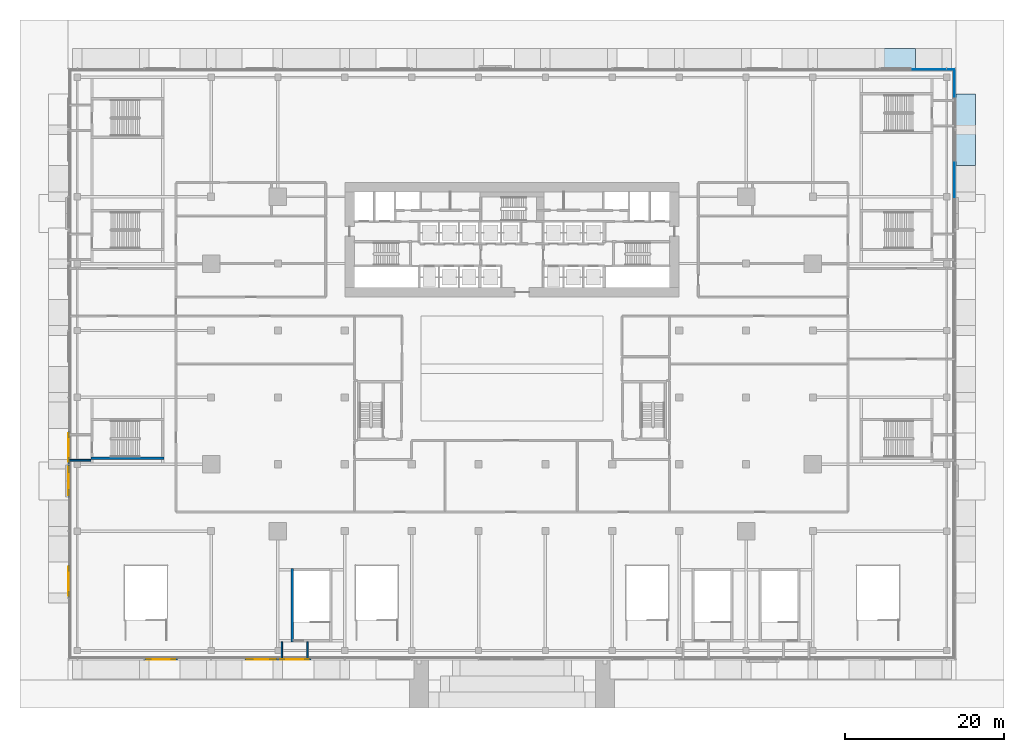
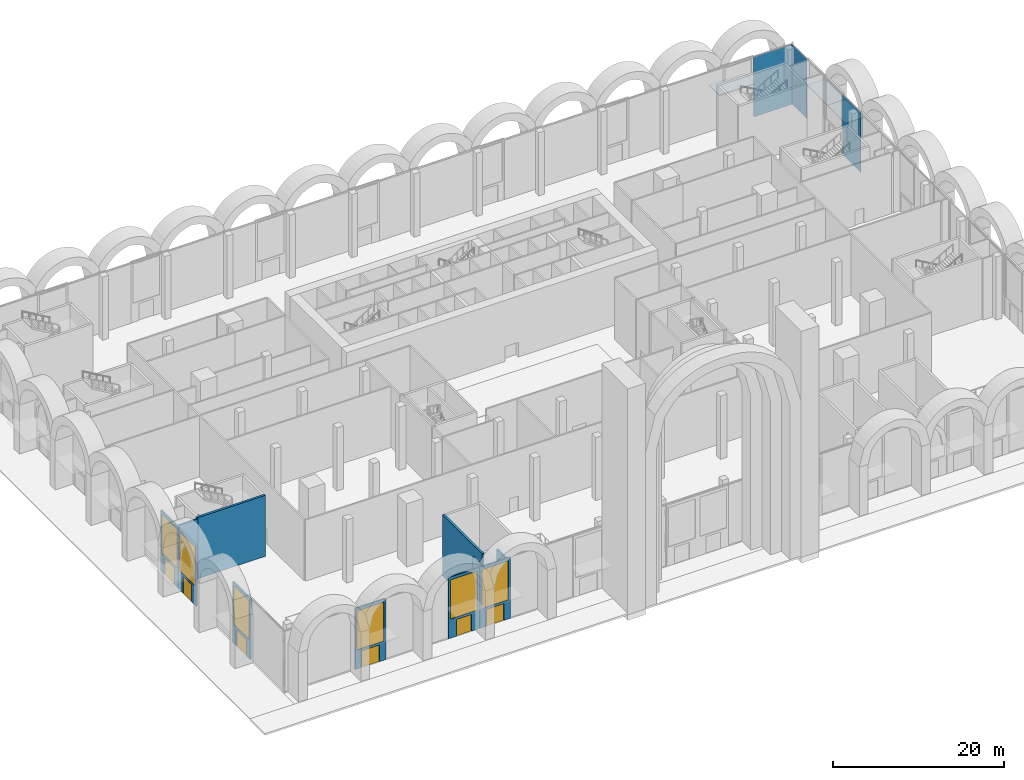
# One storey, part 19 of 43: 11 walls, 6 doors, 6 plates, 6 windows, 12 openings, 2 elements without a shape of their own.
"""IFC4 building model written with IfcOpenShell, lengths in metres."""

from ifc_helpers import new_model, si_unit, direction, frame, frame_2d, origin, place, context, subcontext, project, spatial, polyline, rectangle, outline, extrude, material, layer, layer_set, type_object, element, fill, aggregate, save


model = new_model("IFC4")

# Units and contexts
model_context = context("Model", 3, precision=1e-05, world=origin(), true_north=direction((0.0, 1.0)))
body_context = subcontext(model_context, "Body", "Model", "MODEL_VIEW")
ifc_project = project(units=[si_unit("LENGTHUNIT", "METRE"), si_unit("AREAUNIT", "SQUARE_METRE"), si_unit("VOLUMEUNIT", "CUBIC_METRE"), si_unit("PLANEANGLEUNIT", "RADIAN"), si_unit("MASSUNIT", "GRAM", prefix="KILO")], contexts=[model_context])

# Site, building, storey
site_placement = place(None, origin())
site = spatial("IfcSite", under=ifc_project, at=site_placement, CompositionType="ELEMENT")
building_placement = place(site_placement, origin())
building = spatial("IfcBuilding", under=site, at=building_placement, Name="Saffron Gate Tower", CompositionType="ELEMENT")
storey_placement = place(building_placement, origin())
storey = spatial("IfcBuildingStorey", under=building, at=storey_placement, Name="L00", CompositionType="ELEMENT", Elevation=0.0)

# Plates
ifc_material_1 = material(Name="Aluminium, bronze anodised", Category="aluminium")
ifc_layer_1 = layer(ifc_material_1, 0.14990234375)
ifc_layer_set_1 = layer_set([ifc_layer_1], Name="CAN1 entrance canopy")
plate_type_1 = type_object("IfcPlateType", Name="CAN1 entrance canopy", PredefinedType="SHEET", material=ifc_layer_set_1)
plate_1_placement = place(storey_placement, frame((0.0, 0.0, 4.39990234375)))
element("IfcPlate", 1, at=plate_1_placement, inside=storey, type_object=plate_type_1, Name="EXIT CANOPY", PredefinedType="SHEET", context=body_context, shape_type="SweptSolid", body=[
    extrude(outline(polyline([(138.300048828125, 90.0), (133.5, 90.0), (133.5, 92.39990234375), (138.300048828125, 92.39990234375), (138.300048828125, 90.0)])), origin(), (0.0, 0.0, 1.0), 0.150146484375),
])
plate_2_placement = place(storey_placement, frame((0.0, 0.0, 4.39990234375)))
element("IfcPlate", 2, at=plate_2_placement, inside=storey, type_object=plate_type_1, Name="EXIT CANOPY", PredefinedType="SHEET", context=body_context, shape_type="SweptSolid", body=[
    extrude(outline(polyline([(143.39990234375, 77.699951171875), (143.39990234375, 82.5), (145.800048828125, 82.5), (145.800048828125, 77.699951171875), (143.39990234375, 77.699951171875)])), origin(), (0.0, 0.0, 1.0), 0.150146484375),
])
plate_3_placement = place(storey_placement, frame((0.0, 0.0, 4.39990234375)))
element("IfcPlate", 3, at=plate_3_placement, inside=storey, type_object=plate_type_1, Name="EXIT CANOPY", PredefinedType="SHEET", context=body_context, shape_type="SweptSolid", body=[
    extrude(outline(polyline([(143.39990234375, 81.89990234375), (143.39990234375, 86.699951171875), (145.800048828125, 86.699951171875), (145.800048828125, 81.89990234375), (143.39990234375, 81.89990234375)])), origin(), (0.0, 0.0, 1.0), 0.150146484375),
])

# Curtain wall, plates
curtain_wall_type = type_object("IfcCurtainWallType", Name="CWS5 curtain wall podium ring base", PredefinedType="NOTDEFINED", material=ifc_material_1)
curtain_wall_1_placement = place(storey_placement, origin())
curtain_wall_1 = element("IfcCurtainWall", 4, at=curtain_wall_1_placement, inside=storey, type_object=curtain_wall_type, Name="CWS5 run 2", PredefinedType="NOTDEFINED")
ifc_material_2 = material(Name="Clear low-iron laminated glass", Category="glass")
ifc_layer_2 = layer(ifc_material_2, 0.028076171875)
ifc_layer_set_2 = layer_set([ifc_layer_2], Name="CWS5 fixed glass")
plate_type_2 = type_object("IfcPlateType", Name="CWS5 fixed glass", PredefinedType="CURTAIN_PANEL", material=ifc_layer_set_2)
plate_4_placement = place(storey_placement, frame((143.18603515625, 73.760009765625, 0.0), z_axis=(0.0, 0.0, 1.0), x_axis=(0.0, 1.0, 0.0)))
plate_4 = element("IfcPlate", 5, at=plate_4_placement, type_object=plate_type_2, Name="CWS5 glass panel", PredefinedType="CURTAIN_PANEL", context=body_context, shape_type="SweptSolid", body=[
    extrude(rectangle(XDim=4.280029296875, YDim=0.028076171875, at=frame_2d((2.14013671875, 0.0))), origin(), (0.0, 0.0, 1.0), 8.580078125),
])
plate_5_placement = place(storey_placement, frame((143.18603515625, 86.360107421875, 0.0), z_axis=(0.0, 0.0, 1.0), x_axis=(0.0, 1.0, 0.0)))
plate_5 = element("IfcPlate", 6, at=plate_5_placement, type_object=plate_type_2, Name="CWS5 glass panel", PredefinedType="CURTAIN_PANEL", context=body_context, shape_type="SweptSolid", body=[
    extrude(rectangle(XDim=3.411865234375, YDim=0.028076171875, at=frame_2d((1.7060546875, 0.0))), origin(), (0.0, 0.0, 1.0), 8.580078125),
])
aggregate(curtain_wall_1, [plate_4, plate_5])

# Curtain wall, plate
curtain_wall_2_placement = place(storey_placement, origin())
curtain_wall_2 = element("IfcCurtainWall", 7, at=curtain_wall_2_placement, inside=storey, type_object=curtain_wall_type, Name="CWS5 run 3", PredefinedType="NOTDEFINED")
plate_6_placement = place(storey_placement, frame((143.172119140625, 89.785888671875, 0.0), z_axis=(0.0, 0.0, 1.0), x_axis=(-1.0, 0.0, 0.0)))
plate_6 = element("IfcPlate", 8, at=plate_6_placement, type_object=plate_type_2, Name="CWS5 glass panel", PredefinedType="CURTAIN_PANEL", context=body_context, shape_type="SweptSolid", body=[
    extrude(rectangle(XDim=5.212158203125, YDim=0.028076171875, at=frame_2d((2.60595703125, 0.0))), origin(), (0.0, 0.0, 1.0), 8.580078125),
])
aggregate(curtain_wall_2, [plate_6])

# Walls
ifc_material_3 = material(Name="Gypsum board partition on steel studs", Category="steel")
ifc_layer_3 = layer(ifc_material_3, 0.199951171875)
ifc_layer_set_3 = layer_set([ifc_layer_3], Name="CW10 Core partition 200")
wall_type_1 = type_object("IfcWallType", Name="CW10 Core partition 200", PredefinedType="PARTITIONING", material=ifc_layer_set_3)
wall_1_placement = place(storey_placement, frame((32.0, 40.699951171875, 0.0), z_axis=(0.0, 0.0, 1.0), x_axis=(1.0, 0.0, 0.0)))
element("IfcWall", 9, at=wall_1_placement, inside=storey, type_object=wall_type_1, Name="Wall CW10-L00-XS-HA", PredefinedType="PARTITIONING", context=body_context, shape_type="SweptSolid", body=[
    extrude(rectangle(XDim=2.699951171875, YDim=0.199951171875, at=frame_2d((1.35009765625, 0.0))), origin(), (0.0, 0.0, 1.0), 8.699951171875),
])
for number, where, z_axis, x_axis, name in (
    (10, (58.699951171875, 15.800048828125, 0.0), (0.0, 0.0, 1.0), (0.0, 1.0, 0.0), "Wall CW10-L00-XS-LA"),
    (11, (61.89990234375, 15.800048828125, 0.0), (0.0, 0.0, 1.0), (0.0, 1.0, 0.0), "Wall CW10-L00-XS-LB"),
):
    element("IfcWall", number, at=place(storey_placement, frame(where, z_axis=z_axis, x_axis=x_axis)), inside=storey, type_object=wall_type_1, Name=name, PredefinedType="PARTITIONING", context=body_context, shape_type="SweptSolid", body=[
        extrude(rectangle(XDim=2.099853515625, YDim=0.199951171875, at=frame_2d((1.0498046875, 0.0))), origin(), (0.0, 0.0, 1.0), 8.699951171875),
    ])
ifc_material_4 = material(Name="Concrete C70", Category="concrete")
ifc_layer_4 = layer(ifc_material_4, 0.300048828125)
ifc_layer_set_4 = layer_set([ifc_layer_4], Name="CW5 RC core wall 300 C70")
wall_type_2 = type_object("IfcWallType", Name="CW5 RC core wall 300 C70", PredefinedType="SOLIDWALL", material=ifc_layer_set_4)
wall_2_placement = place(storey_placement, frame((34.699951171875, 40.97509765625, 0.0), z_axis=(0.0, 0.0, 1.0), x_axis=(1.0, 0.0, 0.0)))
element("IfcWall", 12, at=wall_2_placement, inside=storey, type_object=wall_type_2, Name="Wall CW5-L00-H-1", PredefinedType="SOLIDWALL", context=body_context, shape_type="SweptSolid", body=[
    extrude(rectangle(XDim=9.199951171875, YDim=0.300048828125, at=frame_2d((4.60009765625, 0.0))), origin(), (0.0, 0.0, 1.0), 8.699951171875),
])
wall_3_placement = place(storey_placement, frame((59.97509765625, 17.89990234375, 0.0), z_axis=(0.0, 0.0, 1.0), x_axis=(0.0, 1.0, 0.0)))
element("IfcWall", 13, at=wall_3_placement, inside=storey, type_object=wall_type_2, Name="Wall CW5-L00-L-1", PredefinedType="SOLIDWALL", context=body_context, shape_type="SweptSolid", body=[
    extrude(rectangle(XDim=9.2001953125, YDim=0.300048828125, at=frame_2d((4.60009765625, 0.0))), origin(), (0.0, 0.0, 1.0), 8.699951171875),
])

# Wall, openings, door, window
ifc_material_5 = material(Name="Reinforced concrete C40/50 clad in bronze panels", Category="concrete")
ifc_layer_5 = layer(ifc_material_5, 0.199951171875)
ifc_layer_set_5 = layer_set([ifc_layer_5], Name="WBAY1 entrance bay wall")
wall_type_3 = type_object("IfcWallType", Name="WBAY1 entrance bay wall", PredefinedType="SOLIDWALL", material=ifc_layer_set_5)
wall_4_placement = place(storey_placement, frame((58.159912109375, 15.699951171875, 0.0), z_axis=(0.0, 0.0, 1.0), x_axis=(-1.0, 0.0, 0.0)))
wall_4 = element("IfcWall", 14, at=wall_4_placement, inside=storey, type_object=wall_type_3, Name="ENTRANCE BAY wall", PredefinedType="SOLIDWALL", context=body_context, shape_type="SweptSolid", body=[
    extrude(rectangle(XDim=4.119873046875, YDim=0.199951171875, at=frame_2d((2.06005859375, 0.0))), origin(), (0.0, 0.0, 1.0), 8.699951171875),
])
opening_1_placement = place(wall_4_placement, frame((1.06005859375, 0.0, 0.0)))
opening_1 = element("IfcOpeningElement", 15, at=opening_1_placement, cuts=wall_4, Name="Opening E01", PredefinedType="OPENING", context=body_context, shape_type="SweptSolid", body=[
    extrude(rectangle(XDim=2.0, YDim=2.39990234375, at=frame_2d((1.0, 1.199951171875))), frame((0.0, 0.10986328125, 0.0), z_axis=(0.0, -1.0, 0.0), x_axis=(1.0, 0.0, 0.0)), (0.0, 0.0, 1.0), 0.219970703125),
])
opening_2_placement = place(wall_4_placement, frame((0.260009765625, 0.0, 2.699951171875)))
opening_2 = element("IfcOpeningElement", 16, at=opening_2_placement, cuts=wall_4, Name="Opening W9", PredefinedType="OPENING", context=body_context, shape_type="SweptSolid", body=[
    extrude(rectangle(XDim=3.60009765625, YDim=5.60009765625, at=frame_2d((1.800048828125, 2.800048828125))), frame((0.0, 0.10986328125, 0.0), z_axis=(0.0, -1.0, 0.0), x_axis=(1.0, 0.0, 0.0)), (0.0, 0.0, 1.0), 0.219970703125),
])
ifc_material_6 = material(Name="Bronze-framed toughened glass", Category="glass")
ifc_layer_6 = layer(ifc_material_6, 0.050048828125)
ifc_layer_set_6 = layer_set([ifc_layer_6], Name="D1 external double door 2000x2400")
door_type_1 = type_object("IfcDoorType", Name="D1 external double door 2000x2400", OperationType="DOUBLE_DOOR_SINGLE_SWING", PredefinedType="DOOR", material=ifc_layer_set_6)
door_1_placement = place(opening_1_placement, origin())
door_1 = element("IfcDoor", 17, at=door_1_placement, inside=storey, type_object=door_type_1, Name="DOOR E01", OperationType="DOUBLE_DOOR_SINGLE_SWING", OverallHeight=2.39990234375, OverallWidth=2.0, PredefinedType="DOOR", context=body_context, shape_type="SweptSolid", body=[
    extrude(rectangle(XDim=2.0, YDim=2.39990234375, at=frame_2d((1.0, 1.199951171875))), frame((0.0, 0.02490234375, 0.0), z_axis=(0.0, -1.0, 0.0), x_axis=(1.0, 0.0, 0.0)), (0.0, 0.0, 1.0), 0.050048828125),
])
fill(opening_1, door_1)
ifc_material_7 = material(Name="Clear low-iron laminated glass in bronze frame", Category="glass")
ifc_layer_7 = layer(ifc_material_7, 0.06005859375)
ifc_layer_set_7 = layer_set([ifc_layer_7], Name="W9 entrance light")
window_type = type_object("IfcWindowType", Name="W9 entrance light", PartitioningType="SINGLE_PANEL", PredefinedType="WINDOW", material=ifc_layer_set_7)
window_1_placement = place(opening_2_placement, origin())
window_1 = element("IfcWindow", 18, at=window_1_placement, inside=storey, type_object=window_type, Name="W9 entrance light", OverallHeight=5.60009765625, OverallWidth=3.60009765625, PartitioningType="SINGLE_PANEL", PredefinedType="WINDOW", context=body_context, shape_type="SweptSolid", body=[
    extrude(rectangle(XDim=3.60009765625, YDim=5.60009765625, at=frame_2d((1.800048828125, 2.800048828125))), frame((0.0, 0.030029296875, 0.0), z_axis=(0.0, -1.0, 0.0), x_axis=(1.0, 0.0, 0.0)), (0.0, 0.0, 1.0), 0.06005859375),
])
fill(opening_2, window_1)

# Wall, openings, window, door
wall_5_placement = place(storey_placement, frame((45.56005859375, 15.699951171875, 0.0), z_axis=(0.0, 0.0, 1.0), x_axis=(-1.0, 0.0, 0.0)))
wall_5 = element("IfcWall", 19, at=wall_5_placement, inside=storey, type_object=wall_type_3, Name="ENTRANCE BAY wall", PredefinedType="SOLIDWALL", context=body_context, shape_type="SweptSolid", body=[
    extrude(rectangle(XDim=4.1201171875, YDim=0.199951171875, at=frame_2d((2.06005859375, 0.0))), origin(), (0.0, 0.0, 1.0), 8.699951171875),
])
opening_3_placement = place(wall_5_placement, frame((0.860107421875, 0.0, 0.0)))
opening_3 = element("IfcOpeningElement", 20, at=opening_3_placement, cuts=wall_5, Name="Opening E25", PredefinedType="OPENING", context=body_context, shape_type="SweptSolid", body=[
    extrude(rectangle(XDim=2.39990234375, YDim=2.39990234375, at=frame_2d((1.199951171875, 1.199951171875))), frame((0.0, 0.10986328125, 0.0), z_axis=(0.0, -1.0, 0.0), x_axis=(1.0, 0.0, 0.0)), (0.0, 0.0, 1.0), 0.219970703125),
])
opening_4_placement = place(wall_5_placement, frame((0.260009765625, 0.0, 2.699951171875)))
opening_4 = element("IfcOpeningElement", 21, at=opening_4_placement, cuts=wall_5, Name="Opening W9", PredefinedType="OPENING", context=body_context, shape_type="SweptSolid", body=[
    extrude(rectangle(XDim=3.60009765625, YDim=5.60009765625, at=frame_2d((1.800048828125, 2.800048828125))), frame((0.0, 0.10986328125, 0.0), z_axis=(0.0, -1.0, 0.0), x_axis=(1.0, 0.0, 0.0)), (0.0, 0.0, 1.0), 0.219970703125),
])
window_2_placement = place(opening_4_placement, origin())
window_2 = element("IfcWindow", 22, at=window_2_placement, inside=storey, type_object=window_type, Name="W9 entrance light", OverallHeight=5.60009765625, OverallWidth=3.60009765625, PartitioningType="SINGLE_PANEL", PredefinedType="WINDOW", context=body_context, shape_type="SweptSolid", body=[
    extrude(rectangle(XDim=3.60009765625, YDim=5.60009765625, at=frame_2d((1.800048828125, 2.800048828125))), frame((0.0, 0.030029296875, 0.0), z_axis=(0.0, -1.0, 0.0), x_axis=(1.0, 0.0, 0.0)), (0.0, 0.0, 1.0), 0.06005859375),
])
fill(opening_4, window_2)
ifc_layer_8 = layer(ifc_material_6, 0.050048828125)
ifc_layer_set_8 = layer_set([ifc_layer_8], Name="X1 exit double door 2400x2400")
door_type_2 = type_object("IfcDoorType", Name="X1 exit double door 2400x2400", OperationType="DOUBLE_DOOR_SINGLE_SWING", PredefinedType="DOOR", material=ifc_layer_set_8)
door_2_placement = place(opening_3_placement, origin())
door_2 = element("IfcDoor", 23, at=door_2_placement, inside=storey, type_object=door_type_2, Name="EXIT E25", OperationType="DOUBLE_DOOR_SINGLE_SWING", OverallHeight=2.39990234375, OverallWidth=2.39990234375, PredefinedType="DOOR", context=body_context, shape_type="SweptSolid", body=[
    extrude(rectangle(XDim=2.39990234375, YDim=2.39990234375, at=frame_2d((1.199951171875, 1.199951171875))), frame((0.0, 0.02490234375, 0.0), z_axis=(0.0, -1.0, 0.0), x_axis=(1.0, 0.0, 0.0)), (0.0, 0.0, 1.0), 0.050048828125),
])
fill(opening_3, door_2)

wall_6_placement = place(storey_placement, frame((62.360107421875, 15.699951171875, 0.0), z_axis=(0.0, 0.0, 1.0), x_axis=(-1.0, 0.0, 0.0)))
wall_6 = element("IfcWall", 24, at=wall_6_placement, inside=storey, type_object=wall_type_3, Name="ENTRANCE BAY wall", PredefinedType="SOLIDWALL", context=body_context, shape_type="SweptSolid", body=[
    extrude(rectangle(XDim=4.1201171875, YDim=0.199951171875, at=frame_2d((2.06005859375, 0.0))), origin(), (0.0, 0.0, 1.0), 8.699951171875),
])
opening_5_placement = place(wall_6_placement, frame((0.860107421875, 0.0, 0.0)))
opening_5 = element("IfcOpeningElement", 25, at=opening_5_placement, cuts=wall_6, Name="Opening E35", PredefinedType="OPENING", context=body_context, shape_type="SweptSolid", body=[
    extrude(rectangle(XDim=2.39990234375, YDim=2.39990234375, at=frame_2d((1.199951171875, 1.199951171875))), frame((0.0, 0.10986328125, 0.0), z_axis=(0.0, -1.0, 0.0), x_axis=(1.0, 0.0, 0.0)), (0.0, 0.0, 1.0), 0.219970703125),
])
opening_6_placement = place(wall_6_placement, frame((0.260009765625, 0.0, 2.699951171875)))
opening_6 = element("IfcOpeningElement", 26, at=opening_6_placement, cuts=wall_6, Name="Opening W9", PredefinedType="OPENING", context=body_context, shape_type="SweptSolid", body=[
    extrude(rectangle(XDim=3.60009765625, YDim=5.60009765625, at=frame_2d((1.800048828125, 2.800048828125))), frame((0.0, 0.10986328125, 0.0), z_axis=(0.0, -1.0, 0.0), x_axis=(1.0, 0.0, 0.0)), (0.0, 0.0, 1.0), 0.219970703125),
])
window_3_placement = place(opening_6_placement, origin())
window_3 = element("IfcWindow", 27, at=window_3_placement, inside=storey, type_object=window_type, Name="W9 entrance light", OverallHeight=5.60009765625, OverallWidth=3.60009765625, PartitioningType="SINGLE_PANEL", PredefinedType="WINDOW", context=body_context, shape_type="SweptSolid", body=[
    extrude(rectangle(XDim=3.60009765625, YDim=5.60009765625, at=frame_2d((1.800048828125, 2.800048828125))), frame((0.0, 0.030029296875, 0.0), z_axis=(0.0, -1.0, 0.0), x_axis=(1.0, 0.0, 0.0)), (0.0, 0.0, 1.0), 0.06005859375),
])
fill(opening_6, window_3)
door_3_placement = place(opening_5_placement, origin())
door_3 = element("IfcDoor", 28, at=door_3_placement, inside=storey, type_object=door_type_2, Name="EXIT E35", OperationType="DOUBLE_DOOR_SINGLE_SWING", OverallHeight=2.39990234375, OverallWidth=2.39990234375, PredefinedType="DOOR", context=body_context, shape_type="SweptSolid", body=[
    extrude(rectangle(XDim=2.39990234375, YDim=2.39990234375, at=frame_2d((1.199951171875, 1.199951171875))), frame((0.0, 0.02490234375, 0.0), z_axis=(0.0, -1.0, 0.0), x_axis=(1.0, 0.0, 0.0)), (0.0, 0.0, 1.0), 0.050048828125),
])
fill(opening_5, door_3)

# Wall, openings, door, window
wall_7_placement = place(storey_placement, frame((31.89990234375, 36.0400390625, 0.0), z_axis=(0.0, 0.0, 1.0), x_axis=(0.0, 1.0, 0.0)))
wall_7 = element("IfcWall", 29, at=wall_7_placement, inside=storey, type_object=wall_type_3, Name="ENTRANCE BAY wall", PredefinedType="SOLIDWALL", context=body_context, shape_type="SweptSolid", body=[
    extrude(rectangle(XDim=4.119873046875, YDim=0.199951171875, at=frame_2d((2.06005859375, 0.0))), origin(), (0.0, 0.0, 1.0), 8.699951171875),
])
opening_7_placement = place(wall_7_placement, frame((1.06005859375, 0.0, 0.0)))
opening_7 = element("IfcOpeningElement", 30, at=opening_7_placement, cuts=wall_7, Name="Opening E08", PredefinedType="OPENING", context=body_context, shape_type="SweptSolid", body=[
    extrude(rectangle(XDim=2.0, YDim=2.39990234375, at=frame_2d((1.0, 1.199951171875))), frame((0.0, 0.10986328125, 0.0), z_axis=(0.0, -1.0, 0.0), x_axis=(1.0, 0.0, 0.0)), (0.0, 0.0, 1.0), 0.219970703125),
])
opening_8_placement = place(wall_7_placement, frame((0.260009765625, 0.0, 2.699951171875)))
opening_8 = element("IfcOpeningElement", 31, at=opening_8_placement, cuts=wall_7, Name="Opening W9", PredefinedType="OPENING", context=body_context, shape_type="SweptSolid", body=[
    extrude(rectangle(XDim=3.60009765625, YDim=5.60009765625, at=frame_2d((1.800048828125, 2.800048828125))), frame((0.0, 0.10986328125, 0.0), z_axis=(0.0, -1.0, 0.0), x_axis=(1.0, 0.0, 0.0)), (0.0, 0.0, 1.0), 0.219970703125),
])
ifc_material_8 = material(Name="Bronze lattice gate, anodised aluminium", Category="aluminium")
ifc_layer_9 = layer(ifc_material_8, 0.050048828125)
ifc_layer_set_9 = layer_set([ifc_layer_9], Name="G1 entrance gate 2000x2400")
door_type_3 = type_object("IfcDoorType", Name="G1 entrance gate 2000x2400", OperationType="DOUBLE_DOOR_SINGLE_SWING", PredefinedType="GATE", material=ifc_layer_set_9)
door_4_placement = place(opening_7_placement, origin())
door_4 = element("IfcDoor", 32, at=door_4_placement, inside=storey, type_object=door_type_3, Name="GATE E08", OperationType="DOUBLE_DOOR_SINGLE_SWING", OverallHeight=2.39990234375, OverallWidth=2.0, PredefinedType="GATE", context=body_context, shape_type="SweptSolid", body=[
    extrude(rectangle(XDim=2.0, YDim=2.39990234375, at=frame_2d((1.0, 1.199951171875))), frame((0.0, 0.02490234375, 0.0), z_axis=(0.0, -1.0, 0.0), x_axis=(1.0, 0.0, 0.0)), (0.0, 0.0, 1.0), 0.050048828125),
])
fill(opening_7, door_4)
window_4_placement = place(opening_8_placement, origin())
window_4 = element("IfcWindow", 33, at=window_4_placement, inside=storey, type_object=window_type, Name="W9 entrance light", OverallHeight=5.60009765625, OverallWidth=3.60009765625, PartitioningType="SINGLE_PANEL", PredefinedType="WINDOW", context=body_context, shape_type="SweptSolid", body=[
    extrude(rectangle(XDim=3.60009765625, YDim=5.60009765625, at=frame_2d((1.800048828125, 2.800048828125))), frame((0.0, 0.030029296875, 0.0), z_axis=(0.0, -1.0, 0.0), x_axis=(1.0, 0.0, 0.0)), (0.0, 0.0, 1.0), 0.06005859375),
])
fill(opening_8, window_4)

# Wall, openings, window, door
wall_8_placement = place(storey_placement, frame((31.89990234375, 23.43994140625, 0.0), z_axis=(0.0, 0.0, 1.0), x_axis=(0.0, 1.0, 0.0)))
wall_8 = element("IfcWall", 34, at=wall_8_placement, inside=storey, type_object=wall_type_3, Name="ENTRANCE BAY wall", PredefinedType="SOLIDWALL", context=body_context, shape_type="SweptSolid", body=[
    extrude(rectangle(XDim=4.1201171875, YDim=0.199951171875, at=frame_2d((2.06005859375, 0.0))), origin(), (0.0, 0.0, 1.0), 8.699951171875),
])
opening_9_placement = place(wall_8_placement, frame((0.860107421875, 0.0, 0.0)))
opening_9 = element("IfcOpeningElement", 35, at=opening_9_placement, cuts=wall_8, Name="Opening E19", PredefinedType="OPENING", context=body_context, shape_type="SweptSolid", body=[
    extrude(rectangle(XDim=2.39990234375, YDim=2.39990234375, at=frame_2d((1.199951171875, 1.199951171875))), frame((0.0, 0.10986328125, 0.0), z_axis=(0.0, -1.0, 0.0), x_axis=(1.0, 0.0, 0.0)), (0.0, 0.0, 1.0), 0.219970703125),
])
opening_10_placement = place(wall_8_placement, frame((0.260009765625, 0.0, 2.699951171875)))
opening_10 = element("IfcOpeningElement", 36, at=opening_10_placement, cuts=wall_8, Name="Opening W9", PredefinedType="OPENING", context=body_context, shape_type="SweptSolid", body=[
    extrude(rectangle(XDim=3.60009765625, YDim=5.60009765625, at=frame_2d((1.800048828125, 2.800048828125))), frame((0.0, 0.10986328125, 0.0), z_axis=(0.0, -1.0, 0.0), x_axis=(1.0, 0.0, 0.0)), (0.0, 0.0, 1.0), 0.219970703125),
])
window_5_placement = place(opening_10_placement, origin())
window_5 = element("IfcWindow", 37, at=window_5_placement, inside=storey, type_object=window_type, Name="W9 entrance light", OverallHeight=5.60009765625, OverallWidth=3.60009765625, PartitioningType="SINGLE_PANEL", PredefinedType="WINDOW", context=body_context, shape_type="SweptSolid", body=[
    extrude(rectangle(XDim=3.60009765625, YDim=5.60009765625, at=frame_2d((1.800048828125, 2.800048828125))), frame((0.0, 0.030029296875, 0.0), z_axis=(0.0, -1.0, 0.0), x_axis=(1.0, 0.0, 0.0)), (0.0, 0.0, 1.0), 0.06005859375),
])
fill(opening_10, window_5)
door_5_placement = place(opening_9_placement, origin())
door_5 = element("IfcDoor", 38, at=door_5_placement, inside=storey, type_object=door_type_2, Name="EXIT E19", OperationType="DOUBLE_DOOR_SINGLE_SWING", OverallHeight=2.39990234375, OverallWidth=2.39990234375, PredefinedType="DOOR", context=body_context, shape_type="SweptSolid", body=[
    extrude(rectangle(XDim=2.39990234375, YDim=2.39990234375, at=frame_2d((1.199951171875, 1.199951171875))), frame((0.0, 0.02490234375, 0.0), z_axis=(0.0, -1.0, 0.0), x_axis=(1.0, 0.0, 0.0)), (0.0, 0.0, 1.0), 0.050048828125),
])
fill(opening_9, door_5)

wall_9_placement = place(storey_placement, frame((31.89990234375, 40.239990234375, 0.0), z_axis=(0.0, 0.0, 1.0), x_axis=(0.0, 1.0, 0.0)))
wall_9 = element("IfcWall", 39, at=wall_9_placement, inside=storey, type_object=wall_type_3, Name="ENTRANCE BAY wall", PredefinedType="SOLIDWALL", context=body_context, shape_type="SweptSolid", body=[
    extrude(rectangle(XDim=4.1201171875, YDim=0.199951171875, at=frame_2d((2.06005859375, 0.0))), origin(), (0.0, 0.0, 1.0), 8.699951171875),
])
opening_11_placement = place(wall_9_placement, frame((0.860107421875, 0.0, 0.0)))
opening_11 = element("IfcOpeningElement", 40, at=opening_11_placement, cuts=wall_9, Name="Opening E31", PredefinedType="OPENING", context=body_context, shape_type="SweptSolid", body=[
    extrude(rectangle(XDim=2.39990234375, YDim=2.39990234375, at=frame_2d((1.199951171875, 1.199951171875))), frame((0.0, 0.10986328125, 0.0), z_axis=(0.0, -1.0, 0.0), x_axis=(1.0, 0.0, 0.0)), (0.0, 0.0, 1.0), 0.219970703125),
])
opening_12_placement = place(wall_9_placement, frame((0.260009765625, 0.0, 2.699951171875)))
opening_12 = element("IfcOpeningElement", 41, at=opening_12_placement, cuts=wall_9, Name="Opening W9", PredefinedType="OPENING", context=body_context, shape_type="SweptSolid", body=[
    extrude(rectangle(XDim=3.60009765625, YDim=5.60009765625, at=frame_2d((1.800048828125, 2.800048828125))), frame((0.0, 0.10986328125, 0.0), z_axis=(0.0, -1.0, 0.0), x_axis=(1.0, 0.0, 0.0)), (0.0, 0.0, 1.0), 0.219970703125),
])
window_6_placement = place(opening_12_placement, origin())
window_6 = element("IfcWindow", 42, at=window_6_placement, inside=storey, type_object=window_type, Name="W9 entrance light", OverallHeight=5.60009765625, OverallWidth=3.60009765625, PartitioningType="SINGLE_PANEL", PredefinedType="WINDOW", context=body_context, shape_type="SweptSolid", body=[
    extrude(rectangle(XDim=3.60009765625, YDim=5.60009765625, at=frame_2d((1.800048828125, 2.800048828125))), frame((0.0, 0.030029296875, 0.0), z_axis=(0.0, -1.0, 0.0), x_axis=(1.0, 0.0, 0.0)), (0.0, 0.0, 1.0), 0.06005859375),
])
fill(opening_12, window_6)
door_6_placement = place(opening_11_placement, origin())
door_6 = element("IfcDoor", 43, at=door_6_placement, inside=storey, type_object=door_type_2, Name="EXIT E31", OperationType="DOUBLE_DOOR_SINGLE_SWING", OverallHeight=2.39990234375, OverallWidth=2.39990234375, PredefinedType="DOOR", context=body_context, shape_type="SweptSolid", body=[
    extrude(rectangle(XDim=2.39990234375, YDim=2.39990234375, at=frame_2d((1.199951171875, 1.199951171875))), frame((0.0, 0.02490234375, 0.0), z_axis=(0.0, -1.0, 0.0), x_axis=(1.0, 0.0, 0.0)), (0.0, 0.0, 1.0), 0.050048828125),
])
fill(opening_11, door_6)

save(model, "model.ifc")
